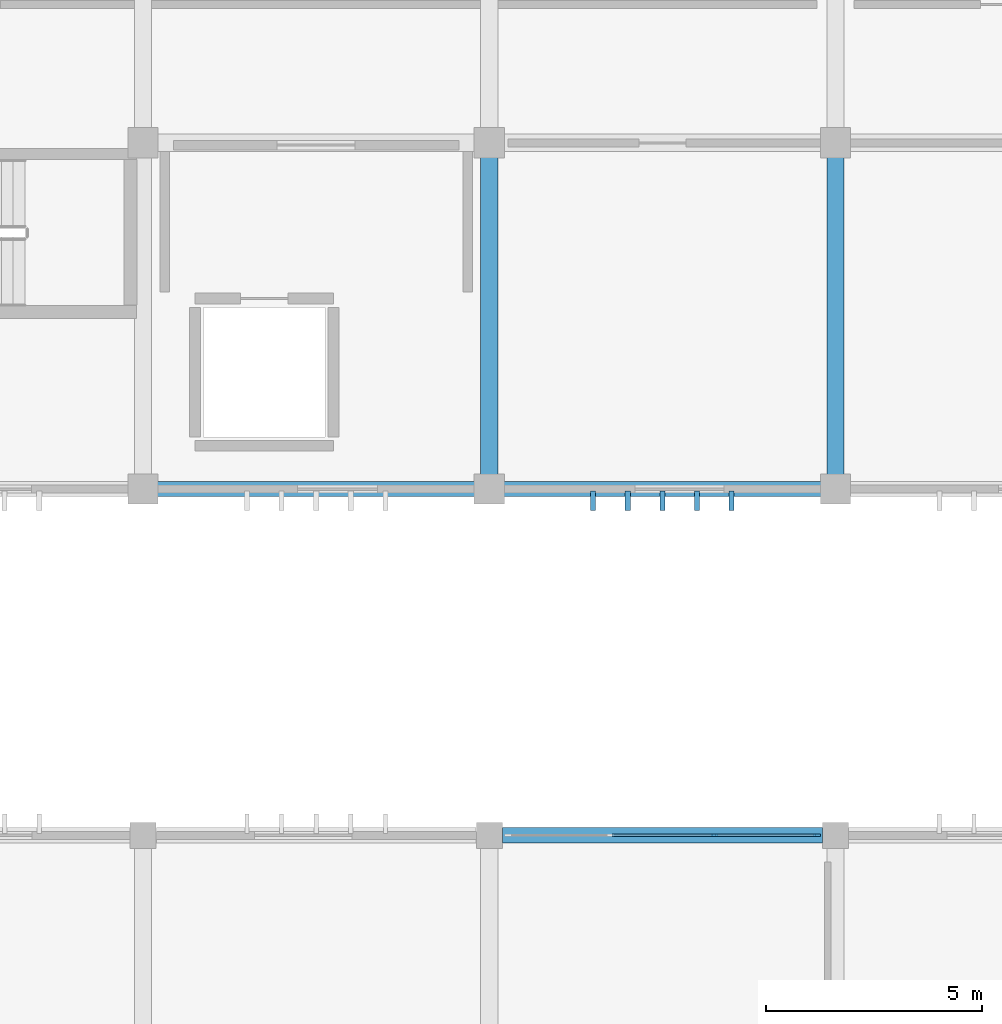
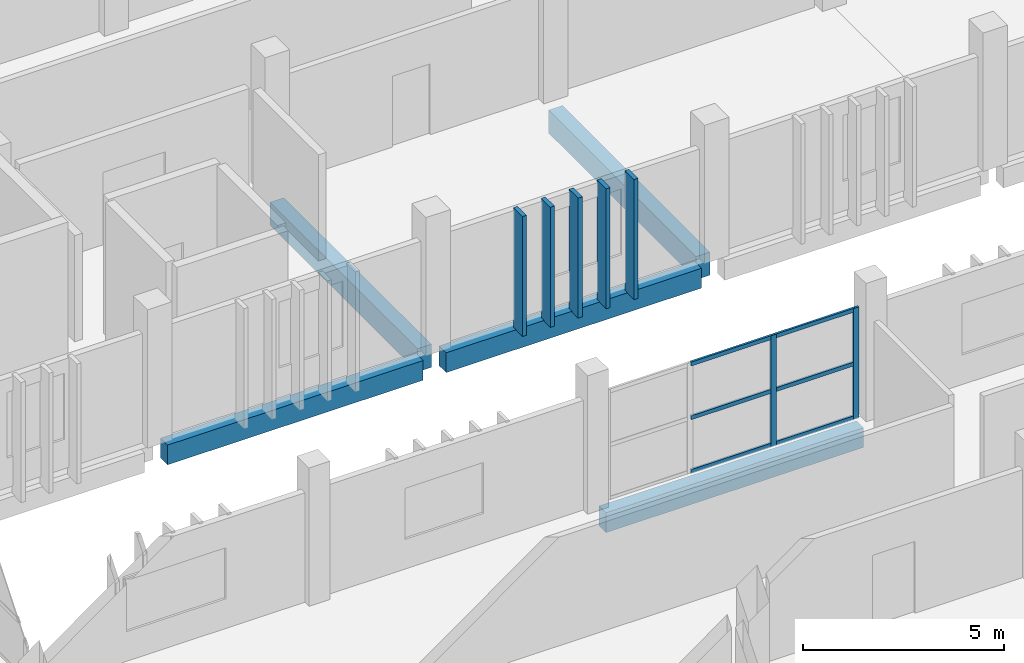
# One storey, part 29 of 83: 13 members, 5 beams, 1 element without a shape of its own.
"""IFC4 building model written with IfcOpenShell, lengths in metres."""

from ifc_helpers import new_model, si_unit, direction, frame, origin, origin_2d, place, context, subcontext, project, spatial, rectangle, extrude, material, layer, layer_set, material_profile, profile_set, type_object, element, aggregate, save


model = new_model("IFC4")

# Units and contexts
model_context = context("Model", 3, precision=1e-05, world=origin(), true_north=direction((0.0, 1.0)))
body_context = subcontext(model_context, "Body", "Model", "MODEL_VIEW")
ifc_project = project(units=[si_unit("LENGTHUNIT", "METRE"), si_unit("AREAUNIT", "SQUARE_METRE"), si_unit("VOLUMEUNIT", "CUBIC_METRE"), si_unit("PLANEANGLEUNIT", "RADIAN"), si_unit("MASSUNIT", "GRAM", prefix="KILO")], contexts=[model_context])

# Site, building, storey
site_placement = place(None, origin())
site = spatial("IfcSite", under=ifc_project, at=site_placement, CompositionType="ELEMENT")
building_placement = place(site_placement, origin())
building = spatial("IfcBuilding", under=site, at=building_placement, Name="Jelvoka-Kovrelna Polytechnic", CompositionType="ELEMENT")
storey_placement = place(building_placement, frame((0.0, 0.0, 13.800048828125)))
storey = spatial("IfcBuildingStorey", under=building, at=storey_placement, Name="L04", CompositionType="ELEMENT", Elevation=13.800048828125)

# Beams
ifc_material_1 = material(Name="Concrete C40/50", Category="concrete")
ifc_material_profile_1 = material_profile(ifc_material_1, rectangle(XDim=0.39990234375, YDim=0.699951171875, at=origin_2d()), Name="RC 400x700")
ifc_profile_set_1 = profile_set([ifc_material_profile_1], Name="Concrete C40/50")
beam_type_1 = type_object("IfcBeamType", Name="Beam_RC_400x700", PredefinedType="BEAM", material=ifc_profile_set_1)
for number, where, z_axis, x_axis, name in (
    (1, (96.0, 56.330078125, -0.60009765625), (0.0, 1.0, 0.0), (-1.0, 0.0, 0.0), "L04 beam 1288"),
    (2, (104.0, 56.330078125, -0.60009765625), (0.0, 1.0, 0.0), (-1.0, 0.0, 0.0), "L04 beam 1290"),
):
    element("IfcBeam", number, at=place(storey_placement, frame(where, z_axis=z_axis, x_axis=x_axis)), inside=storey, type_object=beam_type_1, Name=name, PredefinedType="BEAM", context=body_context, shape_type="SweptSolid", body=[
        extrude(rectangle(XDim=0.39990234375, YDim=0.699951171875, at=origin_2d()), origin(), (0.0, 0.0, 1.0), 7.33984375),
    ])

# Members
ifc_material_2 = material(Name="Precast concrete C40/50", Category="concrete")
ifc_material_profile_2 = material_profile(ifc_material_2, rectangle(XDim=0.1201171875, YDim=0.449951171875, at=origin_2d()), Name="PC 120x450")
ifc_profile_set_2 = profile_set([ifc_material_profile_2], Name="Precast concrete C40/50")
member_type_1 = type_object("IfcMemberType", Name="Louvre_Fin_120x450", PredefinedType="USERDEFINED", material=ifc_profile_set_2)
for number, where, z_axis, x_axis, name in (
    (3, (98.39990234375, 55.735107421875, -0.27001953125), (0.0, 0.0, 1.0), (1.0, 0.0, 0.0), "L04 B3 south vertical solar louvre fin 1666"),
    (4, (99.199951171875, 55.735107421875, -0.27001953125), (0.0, 0.0, 1.0), (1.0, 0.0, 0.0), "L04 B3 south vertical solar louvre fin 1667"),
    (5, (100.0, 55.735107421875, -0.27001953125), (0.0, 0.0, 1.0), (1.0, 0.0, 0.0), "L04 B3 south vertical solar louvre fin 1668"),
    (6, (100.800048828125, 55.735107421875, -0.27001953125), (0.0, 0.0, 1.0), (1.0, 0.0, 0.0), "L04 B3 south vertical solar louvre fin 1669"),
    (7, (101.60009765625, 55.735107421875, -0.27001953125), (0.0, 0.0, 1.0), (1.0, 0.0, 0.0), "L04 B3 south vertical solar louvre fin 1670"),
):
    element("IfcMember", number, at=place(storey_placement, frame(where, z_axis=z_axis, x_axis=x_axis)), inside=storey, type_object=member_type_1, Name=name, ObjectType="SUNSHADE", PredefinedType="USERDEFINED", context=body_context, shape_type="SweptSolid", body=[
        extrude(rectangle(XDim=0.1201171875, YDim=0.449951171875, at=origin_2d()), origin(), (0.0, 0.0, 1.0), 3.64501953125),
    ])

# Curtain wall, members
ifc_material_3 = material(Name="Anodised aluminium 6063-T6", Category="aluminium")
ifc_layer = layer(ifc_material_3, 0.159912109375)
ifc_layer_set = layer_set([ifc_layer], Name="Anodised aluminium 6063-T6")
curtain_wall_type = type_object("IfcCurtainWallType", Name="CW_Recessed_A", PredefinedType="NOTDEFINED", material=ifc_layer_set)
curtain_wall_placement = place(storey_placement, origin())
curtain_wall = element("IfcCurtainWall", 8, at=curtain_wall_placement, inside=storey, type_object=curtain_wall_type, Name="L04 glazed curtain wall 030", PredefinedType="NOTDEFINED")
ifc_material_4 = material(Name="Anodised aluminium 6063-T6", Category="aluminium")
ifc_material_profile_3 = material_profile(ifc_material_4, rectangle(XDim=0.06005859375, YDim=0.159912109375, at=origin_2d()), Name="ALU 60x160")
ifc_profile_set_3 = profile_set([ifc_material_profile_3], Name="Anodised aluminium 6063-T6")
member_type_2 = type_object("IfcMemberType", Name="Mullion_M-01", PredefinedType="MULLION", material=ifc_profile_set_3)
member_1_placement = place(storey_placement, frame((101.199951171875, 48.0, -0.02490234375), z_axis=(0.0, 0.0, 1.0), x_axis=(0.0, 1.0, 0.0)))
member_1 = element("IfcMember", 9, at=member_1_placement, type_object=member_type_2, Name="CW-01 mullion 3", PredefinedType="MULLION", context=body_context, shape_type="SweptSolid", body=[
    extrude(rectangle(XDim=0.06005859375, YDim=0.159912109375, at=origin_2d()), origin(), (0.0, 0.0, 1.0), 3.375),
])
member_2_placement = place(storey_placement, frame((103.570068359375, 48.0, -0.02490234375), z_axis=(0.0, 0.0, 1.0), x_axis=(0.0, 1.0, 0.0)))
member_2 = element("IfcMember", 10, at=member_2_placement, type_object=member_type_2, Name="CW-01 mullion 4", PredefinedType="MULLION", context=body_context, shape_type="SweptSolid", body=[
    extrude(rectangle(XDim=0.06005859375, YDim=0.159912109375, at=origin_2d()), origin(), (0.0, 0.0, 1.0), 3.375),
])

# Beams
ifc_material_5 = material(Name="Concrete C40/50", Category="concrete")
ifc_material_profile_4 = material_profile(ifc_material_5, rectangle(XDim=0.35009765625, YDim=0.60009765625, at=origin_2d()), Name="RC 350x600")
ifc_profile_set_4 = profile_set([ifc_material_profile_4], Name="Concrete C40/50")
beam_type_2 = type_object("IfcBeamType", Name="Spandrel_RC_350x600", PredefinedType="SPANDREL", material=ifc_profile_set_4)
beam_placement = place(storey_placement, frame((96.304931640625, 48.0, -0.550048828125), z_axis=(1.0, 0.0, 0.0), x_axis=(0.0, 1.0, 0.0)))
element("IfcBeam", 11, at=beam_placement, inside=storey, type_object=beam_type_2, Name="L04 beam 1194", PredefinedType="SPANDREL", context=body_context, shape_type="SweptSolid", body=[
    extrude(rectangle(XDim=0.35009765625, YDim=0.60009765625, at=origin_2d()), origin(), (0.0, 0.0, 1.0), 7.39013671875),
])
for number, where, z_axis, x_axis, name in (
    (12, (88.330078125, 56.0, -0.550048828125), (1.0, 0.0, 0.0), (0.0, 1.0, 0.0), "L04 beam 1262"),
    (13, (96.330078125, 56.0, -0.550048828125), (1.0, 0.0, 0.0), (0.0, 1.0, 0.0), "L04 beam 1263"),
):
    element("IfcBeam", number, at=place(storey_placement, frame(where, z_axis=z_axis, x_axis=x_axis)), inside=storey, type_object=beam_type_2, Name=name, PredefinedType="SPANDREL", context=body_context, shape_type="SweptSolid", body=[
        extrude(rectangle(XDim=0.35009765625, YDim=0.60009765625, at=origin_2d()), origin(), (0.0, 0.0, 1.0), 7.33984375),
    ])

# Member
ifc_material_6 = material(Name="Anodised aluminium 6063-T6", Category="aluminium")
ifc_material_profile_5 = material_profile(ifc_material_6, rectangle(XDim=0.06005859375, YDim=0.1201171875, at=origin_2d()), Name="ALU 60x120")
ifc_profile_set_5 = profile_set([ifc_material_profile_5], Name="Anodised aluminium 6063-T6")
member_type_3 = type_object("IfcMemberType", Name="Transom_T-01", PredefinedType="USERDEFINED", material=ifc_profile_set_5)
member_3_placement = place(storey_placement, frame((98.830078125, 48.0, 0.030029296875), z_axis=(1.0, 0.0, 0.0), x_axis=(0.0, 1.0, 0.0)))
member_3 = element("IfcMember", 14, at=member_3_placement, type_object=member_type_3, Name="CW-01 transom 2.1", ObjectType="TRANSOM", PredefinedType="USERDEFINED", context=body_context, shape_type="SweptSolid", body=[
    extrude(rectangle(XDim=0.06005859375, YDim=0.1201171875, at=origin_2d()), origin(), (0.0, 0.0, 1.0), 2.33984375),
])

member_4_placement = place(storey_placement, frame((98.830078125, 48.0, 1.662353515625), z_axis=(1.0, 0.0, 0.0), x_axis=(0.0, 1.0, 0.0)))
member_4 = element("IfcMember", 15, at=member_4_placement, type_object=member_type_3, Name="CW-01 transom 2.2", ObjectType="TRANSOM", PredefinedType="USERDEFINED", context=body_context, shape_type="SweptSolid", body=[
    extrude(rectangle(XDim=0.06005859375, YDim=0.1201171875, at=origin_2d()), origin(), (0.0, 0.0, 1.0), 2.33984375),
])

member_5_placement = place(storey_placement, frame((98.830078125, 48.0, 3.294921875), z_axis=(1.0, 0.0, 0.0), x_axis=(0.0, 1.0, 0.0)))
member_5 = element("IfcMember", 16, at=member_5_placement, type_object=member_type_3, Name="CW-01 transom 2.3", ObjectType="TRANSOM", PredefinedType="USERDEFINED", context=body_context, shape_type="SweptSolid", body=[
    extrude(rectangle(XDim=0.06005859375, YDim=0.1201171875, at=origin_2d()), origin(), (0.0, 0.0, 1.0), 2.33984375),
])

member_6_placement = place(storey_placement, frame((101.22998046875, 48.0, 0.030029296875), z_axis=(1.0, 0.0, 0.0), x_axis=(0.0, 1.0, 0.0)))
member_6 = element("IfcMember", 17, at=member_6_placement, type_object=member_type_3, Name="CW-01 transom 3.1", ObjectType="TRANSOM", PredefinedType="USERDEFINED", context=body_context, shape_type="SweptSolid", body=[
    extrude(rectangle(XDim=0.06005859375, YDim=0.1201171875, at=origin_2d()), origin(), (0.0, 0.0, 1.0), 2.31005859375),
])

member_7_placement = place(storey_placement, frame((101.22998046875, 48.0, 1.662353515625), z_axis=(1.0, 0.0, 0.0), x_axis=(0.0, 1.0, 0.0)))
member_7 = element("IfcMember", 18, at=member_7_placement, type_object=member_type_3, Name="CW-01 transom 3.2", ObjectType="TRANSOM", PredefinedType="USERDEFINED", context=body_context, shape_type="SweptSolid", body=[
    extrude(rectangle(XDim=0.06005859375, YDim=0.1201171875, at=origin_2d()), origin(), (0.0, 0.0, 1.0), 2.31005859375),
])

member_8_placement = place(storey_placement, frame((101.22998046875, 48.0, 3.294921875), z_axis=(1.0, 0.0, 0.0), x_axis=(0.0, 1.0, 0.0)))
member_8 = element("IfcMember", 19, at=member_8_placement, type_object=member_type_3, Name="CW-01 transom 3.3", ObjectType="TRANSOM", PredefinedType="USERDEFINED", context=body_context, shape_type="SweptSolid", body=[
    extrude(rectangle(XDim=0.06005859375, YDim=0.1201171875, at=origin_2d()), origin(), (0.0, 0.0, 1.0), 2.31005859375),
])

aggregate(curtain_wall, [member_1, member_2, member_3, member_4, member_5, member_6, member_7, member_8])

save(model, "model.ifc")
